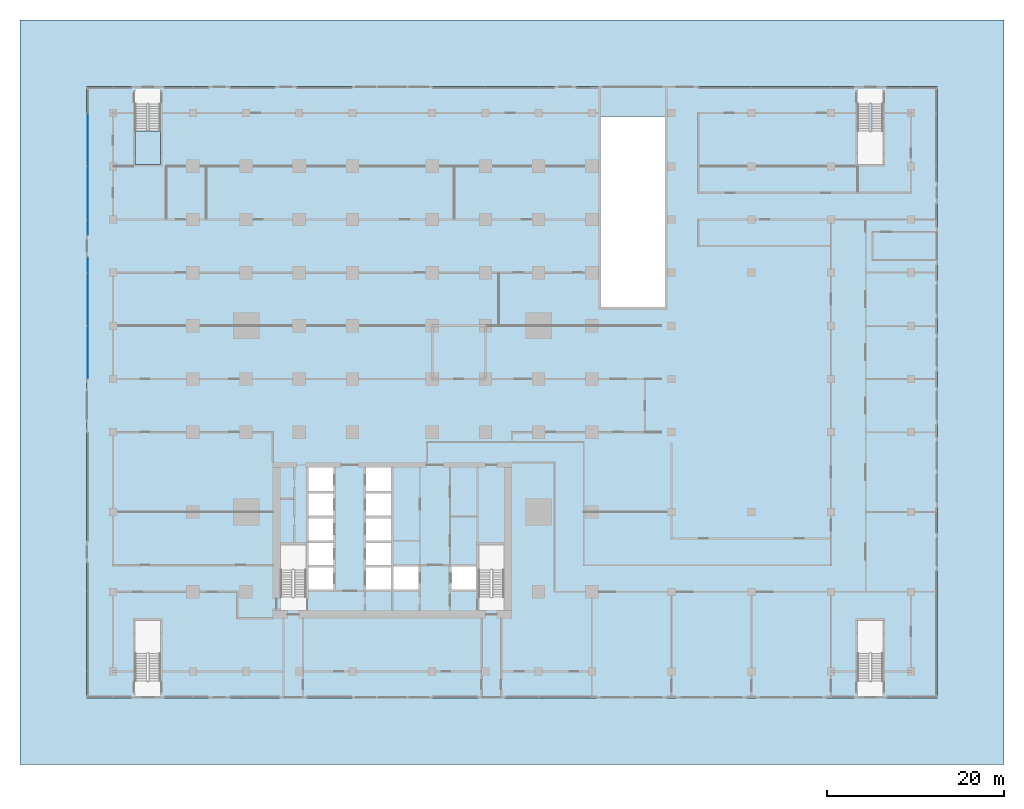
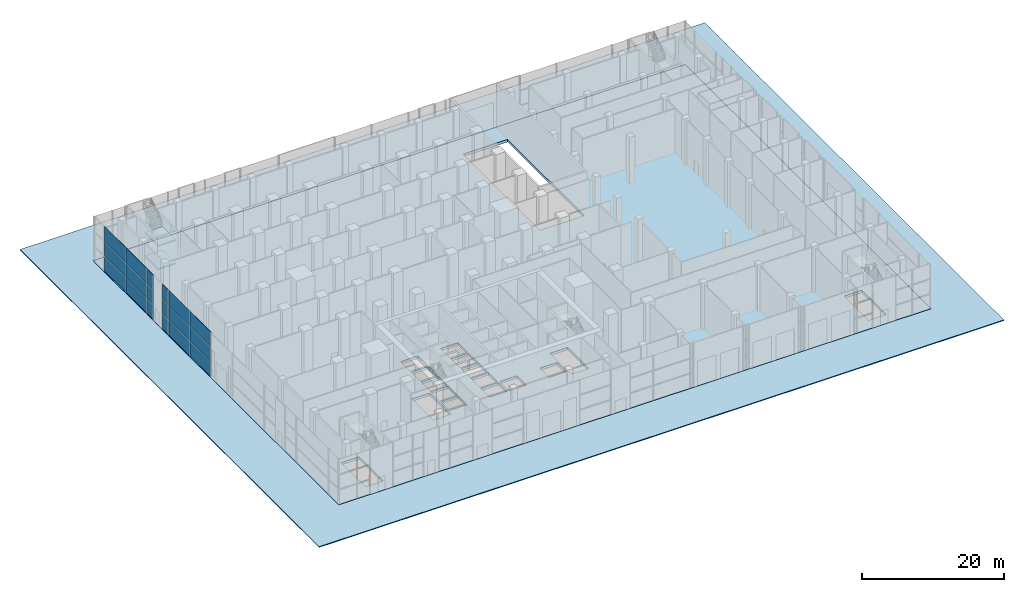
# One storey, part 12 of 29: 18 plates, 4 slabs, 3 elements without a shape of their own.
"""IFC4 building model written with IfcOpenShell, lengths in metres."""

from ifc_helpers import new_model, si_unit, direction, frame, origin, origin_2d, place, context, subcontext, project, spatial, polyline, rectangle, outline, extrude, material, layer, layer_set, type_object, element, aggregate, save


model = new_model("IFC4")

# Units and contexts
model_context = context("Model", 3, precision=1e-05, world=origin(), true_north=direction((0.0, 1.0)))
body_context = subcontext(model_context, "Body", "Model", "MODEL_VIEW")
ifc_project = project(units=[si_unit("LENGTHUNIT", "METRE"), si_unit("AREAUNIT", "SQUARE_METRE"), si_unit("VOLUMEUNIT", "CUBIC_METRE"), si_unit("PLANEANGLEUNIT", "RADIAN"), si_unit("MASSUNIT", "GRAM", prefix="KILO")], contexts=[model_context])

# Site, building, storey
site_placement = place(None, origin())
site = spatial("IfcSite", under=ifc_project, at=site_placement, CompositionType="ELEMENT")
building_placement = place(site_placement, origin())
building = spatial("IfcBuilding", under=site, at=building_placement, Name="Finial Court Residences", CompositionType="ELEMENT")
storey_placement = place(building_placement, origin())
storey = spatial("IfcBuildingStorey", under=building, at=storey_placement, Name="L00", CompositionType="ELEMENT", Elevation=0.0)

# Curtain wall, plates
ifc_material_1 = material(Name="Bronze anodised aluminium", Category="aluminium")
curtain_wall_type = type_object("IfcCurtainWallType", Name="Podium shopfront", PredefinedType="NOTDEFINED", material=ifc_material_1)
curtain_wall_1_placement = place(storey_placement, origin())
curtain_wall_1 = element("IfcCurtainWall", 1, at=curtain_wall_1_placement, inside=storey, type_object=curtain_wall_type, Name="E-L00-CW-W29", PredefinedType="NOTDEFINED")
ifc_material_2 = material(Name="Clear low-e glass", Category="glass")
ifc_layer_1 = layer(ifc_material_2, 0.0400390625)
ifc_layer_set_1 = layer_set([ifc_layer_1], Name="CW4 vision glass 40")
plate_type = type_object("IfcPlateType", Name="CW4 vision glass 40", PredefinedType="CURTAIN_PANEL", material=ifc_layer_set_1)
plate_1_placement = place(storey_placement, frame((-34.35009765625, 4.52490234375, 0.0), z_axis=(0.0, 0.0, 1.0), x_axis=(0.0, 1.0, 0.0)))
plate_1 = element("IfcPlate", 2, at=plate_1_placement, type_object=plate_type, Name="CW4 glass 1.1", PredefinedType="CURTAIN_PANEL", context=body_context, shape_type="SweptSolid", body=[
    extrude(rectangle(XDim=5.85009765625, YDim=0.0400390625, at=origin_2d()), origin(), (0.0, 0.0, 1.0), 2.5),
])
plate_2_placement = place(storey_placement, frame((-34.35009765625, 4.52490234375, 2.60009765625), z_axis=(0.0, 0.0, 1.0), x_axis=(0.0, 1.0, 0.0)))
plate_2 = element("IfcPlate", 3, at=plate_2_placement, type_object=plate_type, Name="CW4 glass 1.2", PredefinedType="CURTAIN_PANEL", context=body_context, shape_type="SweptSolid", body=[
    extrude(rectangle(XDim=5.85009765625, YDim=0.0400390625, at=origin_2d()), origin(), (0.0, 0.0, 1.0), 2.449951171875),
])
plate_3_placement = place(storey_placement, frame((-34.35009765625, 4.52490234375, 5.14990234375), z_axis=(0.0, 0.0, 1.0), x_axis=(0.0, 1.0, 0.0)))
plate_3 = element("IfcPlate", 4, at=plate_3_placement, type_object=plate_type, Name="CW4 glass 1.3", PredefinedType="CURTAIN_PANEL", context=body_context, shape_type="SweptSolid", body=[
    extrude(rectangle(XDim=5.85009765625, YDim=0.0400390625, at=origin_2d()), origin(), (0.0, 0.0, 1.0), 2.5),
])
plate_4_placement = place(storey_placement, frame((-34.35009765625, 10.5, 0.0), z_axis=(0.0, 0.0, 1.0), x_axis=(0.0, 1.0, 0.0)))
plate_4 = element("IfcPlate", 5, at=plate_4_placement, type_object=plate_type, Name="CW4 glass 2.1", PredefinedType="CURTAIN_PANEL", context=body_context, shape_type="SweptSolid", body=[
    extrude(rectangle(XDim=5.89990234375, YDim=0.0400390625, at=origin_2d()), origin(), (0.0, 0.0, 1.0), 2.5),
])
plate_5_placement = place(storey_placement, frame((-34.35009765625, 10.5, 2.60009765625), z_axis=(0.0, 0.0, 1.0), x_axis=(0.0, 1.0, 0.0)))
plate_5 = element("IfcPlate", 6, at=plate_5_placement, type_object=plate_type, Name="CW4 glass 2.2", PredefinedType="CURTAIN_PANEL", context=body_context, shape_type="SweptSolid", body=[
    extrude(rectangle(XDim=5.89990234375, YDim=0.0400390625, at=origin_2d()), origin(), (0.0, 0.0, 1.0), 2.449951171875),
])
plate_6_placement = place(storey_placement, frame((-34.35009765625, 10.5, 5.14990234375), z_axis=(0.0, 0.0, 1.0), x_axis=(0.0, 1.0, 0.0)))
plate_6 = element("IfcPlate", 7, at=plate_6_placement, type_object=plate_type, Name="CW4 glass 2.3", PredefinedType="CURTAIN_PANEL", context=body_context, shape_type="SweptSolid", body=[
    extrude(rectangle(XDim=5.89990234375, YDim=0.0400390625, at=origin_2d()), origin(), (0.0, 0.0, 1.0), 2.5),
])
plate_7_placement = place(storey_placement, frame((-34.35009765625, 14.375, 0.0), z_axis=(0.0, 0.0, 1.0), x_axis=(0.0, 1.0, 0.0)))
plate_7 = element("IfcPlate", 8, at=plate_7_placement, type_object=plate_type, Name="CW4 glass 3.1", PredefinedType="CURTAIN_PANEL", context=body_context, shape_type="SweptSolid", body=[
    extrude(rectangle(XDim=1.64990234375, YDim=0.0400390625, at=origin_2d()), origin(), (0.0, 0.0, 1.0), 2.5),
])
plate_8_placement = place(storey_placement, frame((-34.35009765625, 14.375, 2.60009765625), z_axis=(0.0, 0.0, 1.0), x_axis=(0.0, 1.0, 0.0)))
plate_8 = element("IfcPlate", 9, at=plate_8_placement, type_object=plate_type, Name="CW4 glass 3.2", PredefinedType="CURTAIN_PANEL", context=body_context, shape_type="SweptSolid", body=[
    extrude(rectangle(XDim=1.64990234375, YDim=0.0400390625, at=origin_2d()), origin(), (0.0, 0.0, 1.0), 2.449951171875),
])
plate_9_placement = place(storey_placement, frame((-34.35009765625, 14.375, 5.14990234375), z_axis=(0.0, 0.0, 1.0), x_axis=(0.0, 1.0, 0.0)))
plate_9 = element("IfcPlate", 10, at=plate_9_placement, type_object=plate_type, Name="CW4 glass 3.3", PredefinedType="CURTAIN_PANEL", context=body_context, shape_type="SweptSolid", body=[
    extrude(rectangle(XDim=1.64990234375, YDim=0.0400390625, at=origin_2d()), origin(), (0.0, 0.0, 1.0), 2.5),
])
aggregate(curtain_wall_1, [plate_1, plate_2, plate_3, plate_4, plate_5, plate_6, plate_7, plate_8, plate_9])

curtain_wall_2_placement = place(storey_placement, origin())
curtain_wall_2 = element("IfcCurtainWall", 11, at=curtain_wall_2_placement, inside=storey, type_object=curtain_wall_type, Name="E-L00-CW-W30", PredefinedType="NOTDEFINED")
plate_10_placement = place(storey_placement, frame((-34.35009765625, 18.625, 0.0), z_axis=(0.0, 0.0, 1.0), x_axis=(0.0, 1.0, 0.0)))
plate_10 = element("IfcPlate", 12, at=plate_10_placement, type_object=plate_type, Name="CW4 glass 1.1", PredefinedType="CURTAIN_PANEL", context=body_context, shape_type="SweptSolid", body=[
    extrude(rectangle(XDim=1.64990234375, YDim=0.0400390625, at=origin_2d()), origin(), (0.0, 0.0, 1.0), 2.5),
])
plate_11_placement = place(storey_placement, frame((-34.35009765625, 18.625, 2.60009765625), z_axis=(0.0, 0.0, 1.0), x_axis=(0.0, 1.0, 0.0)))
plate_11 = element("IfcPlate", 13, at=plate_11_placement, type_object=plate_type, Name="CW4 glass 1.2", PredefinedType="CURTAIN_PANEL", context=body_context, shape_type="SweptSolid", body=[
    extrude(rectangle(XDim=1.64990234375, YDim=0.0400390625, at=origin_2d()), origin(), (0.0, 0.0, 1.0), 2.449951171875),
])
plate_12_placement = place(storey_placement, frame((-34.35009765625, 18.625, 5.14990234375), z_axis=(0.0, 0.0, 1.0), x_axis=(0.0, 1.0, 0.0)))
plate_12 = element("IfcPlate", 14, at=plate_12_placement, type_object=plate_type, Name="CW4 glass 1.3", PredefinedType="CURTAIN_PANEL", context=body_context, shape_type="SweptSolid", body=[
    extrude(rectangle(XDim=1.64990234375, YDim=0.0400390625, at=origin_2d()), origin(), (0.0, 0.0, 1.0), 2.5),
])
plate_13_placement = place(storey_placement, frame((-34.35009765625, 22.5, 0.0), z_axis=(0.0, 0.0, 1.0), x_axis=(0.0, 1.0, 0.0)))
plate_13 = element("IfcPlate", 15, at=plate_13_placement, type_object=plate_type, Name="CW4 glass 2.1", PredefinedType="CURTAIN_PANEL", context=body_context, shape_type="SweptSolid", body=[
    extrude(rectangle(XDim=5.89990234375, YDim=0.0400390625, at=origin_2d()), origin(), (0.0, 0.0, 1.0), 2.5),
])
plate_14_placement = place(storey_placement, frame((-34.35009765625, 22.5, 2.60009765625), z_axis=(0.0, 0.0, 1.0), x_axis=(0.0, 1.0, 0.0)))
plate_14 = element("IfcPlate", 16, at=plate_14_placement, type_object=plate_type, Name="CW4 glass 2.2", PredefinedType="CURTAIN_PANEL", context=body_context, shape_type="SweptSolid", body=[
    extrude(rectangle(XDim=5.89990234375, YDim=0.0400390625, at=origin_2d()), origin(), (0.0, 0.0, 1.0), 2.449951171875),
])
plate_15_placement = place(storey_placement, frame((-34.35009765625, 22.5, 5.14990234375), z_axis=(0.0, 0.0, 1.0), x_axis=(0.0, 1.0, 0.0)))
plate_15 = element("IfcPlate", 17, at=plate_15_placement, type_object=plate_type, Name="CW4 glass 2.3", PredefinedType="CURTAIN_PANEL", context=body_context, shape_type="SweptSolid", body=[
    extrude(rectangle(XDim=5.89990234375, YDim=0.0400390625, at=origin_2d()), origin(), (0.0, 0.0, 1.0), 2.5),
])
plate_16_placement = place(storey_placement, frame((-34.35009765625, 28.5, 0.0), z_axis=(0.0, 0.0, 1.0), x_axis=(0.0, 1.0, 0.0)))
plate_16 = element("IfcPlate", 18, at=plate_16_placement, type_object=plate_type, Name="CW4 glass 3.1", PredefinedType="CURTAIN_PANEL", context=body_context, shape_type="SweptSolid", body=[
    extrude(rectangle(XDim=5.89990234375, YDim=0.0400390625, at=origin_2d()), origin(), (0.0, 0.0, 1.0), 2.5),
])
plate_17_placement = place(storey_placement, frame((-34.35009765625, 28.5, 2.60009765625), z_axis=(0.0, 0.0, 1.0), x_axis=(0.0, 1.0, 0.0)))
plate_17 = element("IfcPlate", 19, at=plate_17_placement, type_object=plate_type, Name="CW4 glass 3.2", PredefinedType="CURTAIN_PANEL", context=body_context, shape_type="SweptSolid", body=[
    extrude(rectangle(XDim=5.89990234375, YDim=0.0400390625, at=origin_2d()), origin(), (0.0, 0.0, 1.0), 2.449951171875),
])
plate_18_placement = place(storey_placement, frame((-34.35009765625, 28.5, 5.14990234375), z_axis=(0.0, 0.0, 1.0), x_axis=(0.0, 1.0, 0.0)))
plate_18 = element("IfcPlate", 20, at=plate_18_placement, type_object=plate_type, Name="CW4 glass 3.3", PredefinedType="CURTAIN_PANEL", context=body_context, shape_type="SweptSolid", body=[
    extrude(rectangle(XDim=5.89990234375, YDim=0.0400390625, at=origin_2d()), origin(), (0.0, 0.0, 1.0), 2.5),
])
aggregate(curtain_wall_2, [plate_10, plate_11, plate_12, plate_13, plate_14, plate_15, plate_16, plate_17, plate_18])

# Stair, slabs
ifc_material_3 = material(Name="Concrete C50/60", Category="concrete")
stair_type = type_object("IfcStairType", Name="Exit stair 48 risers of 166.7 mm", PredefinedType="HALF_TURN_STAIR", material=ifc_material_3)
stair_placement = place(storey_placement, origin())
stair = element("IfcStair", 21, at=stair_placement, inside=storey, type_object=stair_type, Name="L00 Exit Stair 6", PredefinedType="HALF_TURN_STAIR")
ifc_layer_2 = layer(ifc_material_3, 0.199951171875)
ifc_layer_set_2 = layer_set([ifc_layer_2], Name="Exit stair landing")
slab_type_1 = type_object("IfcSlabType", Name="Exit stair landing", PredefinedType="LANDING", material=ifc_layer_set_2)
slab_1_placement = place(storey_placement, frame((0.0, 0.0, 1.800048828125)))
slab_1 = element("IfcSlab", 22, at=slab_1_placement, type_object=slab_type_1, Name="ST-6 landing 1", PredefinedType="LANDING", context=body_context, shape_type="SweptSolid", body=[
    extrude(outline(polyline([(-29.0, 29.469970703125), (-29.0, 25.719970703125), (-26.14990234375, 25.719970703125), (-26.14990234375, 29.469970703125), (-29.0, 29.469970703125)])), origin(), (0.0, 0.0, 1.0), 0.199951171875),
])
slab_2_placement = place(storey_placement, frame((0.0, 0.0, 5.800048828125)))
slab_2 = element("IfcSlab", 23, at=slab_2_placement, type_object=slab_type_1, Name="ST-6 landing 3", PredefinedType="LANDING", context=body_context, shape_type="SweptSolid", body=[
    extrude(outline(polyline([(-29.0, 29.469970703125), (-29.0, 25.719970703125), (-26.14990234375, 25.719970703125), (-26.14990234375, 29.469970703125), (-29.0, 29.469970703125)])), origin(), (0.0, 0.0, 1.0), 0.199951171875),
])
aggregate(stair, [slab_1, slab_2])

# Slabs
ifc_material_4 = material(Name="Concrete C40/50", Category="concrete")
ifc_layer_3 = layer(ifc_material_4, 0.449951171875)
ifc_layer_set_3 = layer_set([ifc_layer_3], Name="Flat plate slab 450 Concrete C40/50")
slab_type_2 = type_object("IfcSlabType", Name="Flat plate slab 450 Concrete C40/50", PredefinedType="FLOOR", material=ifc_layer_set_3)
slab_3_placement = place(storey_placement, frame((0.0, 0.0, -0.449951171875)))
element("IfcSlab", 24, at=slab_3_placement, inside=storey, type_object=slab_type_2, Name="S:SLAB:L00", PredefinedType="FLOOR", context=body_context, shape_type="SweptSolid", body=[
    extrude(outline(polyline([(-34.5, -34.5), (-34.5, 34.5), (61.5, 34.5), (61.5, -34.5), (-34.5, -34.5)]), holes=[polyline([(-26.14990234375, -25.719970703125), (-29.0, -25.719970703125), (-29.0, -32.549072265625), (-26.14990234375, -32.549072265625), (-26.14990234375, -25.719970703125)]), polyline([(-6.64990234375, -22.25), (-6.64990234375, -19.77001953125), (-9.449951171875, -19.77001953125), (-9.449951171875, -22.25), (-6.64990234375, -22.25)]), polyline([(-9.75, -17.199951171875), (-12.60009765625, -17.199951171875), (-12.60009765625, -23.09912109375), (-9.75, -23.09912109375), (-9.75, -17.199951171875)]), polyline([(-6.64990234375, -19.469970703125), (-6.64990234375, -16.989990234375), (-9.449951171875, -16.989990234375), (-9.449951171875, -19.469970703125), (-6.64990234375, -19.469970703125)]), polyline([(-0.14990234375, -19.469970703125), (-0.14990234375, -16.989990234375), (-2.949951171875, -16.989990234375), (-2.949951171875, -19.469970703125), (-0.14990234375, -19.469970703125)]), polyline([(-6.64990234375, -16.68994140625), (-6.64990234375, -14.2099609375), (-9.449951171875, -14.2099609375), (-9.449951171875, -16.68994140625), (-6.64990234375, -16.68994140625)]), polyline([(-6.64990234375, -13.909912109375), (-6.64990234375, -11.429931640625), (-9.449951171875, -11.429931640625), (-9.449951171875, -13.909912109375), (-6.64990234375, -13.909912109375)]), polyline([(-6.64990234375, -11.1298828125), (-6.64990234375, -8.5), (-9.449951171875, -8.5), (-9.449951171875, -11.1298828125), (-6.64990234375, -11.1298828125)]), polyline([(-0.14990234375, -11.1298828125), (-0.14990234375, -8.5), (-2.949951171875, -8.5), (-2.949951171875, -11.1298828125), (-0.14990234375, -11.1298828125)]), polyline([(55.35009765625, -25.719970703125), (52.5, -25.719970703125), (52.5, -32.549072265625), (55.35009765625, -32.549072265625), (55.35009765625, -25.719970703125)]), polyline([(-0.14990234375, -22.25), (-0.14990234375, -19.77001953125), (-2.949951171875, -19.77001953125), (-2.949951171875, -22.25), (-0.14990234375, -22.25)]), polyline([(2.949951171875, -22.25), (2.949951171875, -19.64990234375), (0.14990234375, -19.64990234375), (0.14990234375, -22.25), (2.949951171875, -22.25)]), polyline([(9.449951171875, -22.25), (9.449951171875, -19.64990234375), (6.64990234375, -19.64990234375), (6.64990234375, -22.25), (9.449951171875, -22.25)]), polyline([(12.60009765625, -17.199951171875), (9.75, -17.199951171875), (9.75, -23.09912109375), (12.60009765625, -23.09912109375), (12.60009765625, -17.199951171875)]), polyline([(-0.14990234375, -16.68994140625), (-0.14990234375, -14.2099609375), (-2.949951171875, -14.2099609375), (-2.949951171875, -16.68994140625), (-0.14990234375, -16.68994140625)]), polyline([(-2.949951171875, -13.909912109375), (-0.14990234375, -13.909912109375), (-0.14990234375, -11.429931640625), (-2.949951171875, -11.429931640625), (-2.949951171875, -13.909912109375)]), polyline([(30.75, 9.60009765625), (30.75, 31.10009765625), (23.550048828125, 31.10009765625), (23.550048828125, 9.60009765625), (30.75, 9.60009765625)])]), origin(), (0.0, 0.0, 1.0), 0.449951171875),
])
ifc_material_5 = material(Name="Granite paving", Category="masonry")
ifc_layer_4 = layer(ifc_material_5, 0.14990234375)
ifc_layer_set_4 = layer_set([ifc_layer_4], Name="Plaza paving, granite 150")
slab_type_3 = type_object("IfcSlabType", Name="Plaza paving, granite 150", PredefinedType="USERDEFINED", material=ifc_layer_set_4)
slab_4_placement = place(storey_placement, frame((0.0, 0.0, -0.14990234375)))
element("IfcSlab", 25, at=slab_4_placement, inside=storey, type_object=slab_type_3, Name="Plaza paving 1", ObjectType="PAVING", PredefinedType="USERDEFINED", context=body_context, shape_type="SweptSolid", body=[
    extrude(outline(polyline([(69.0, 42.0), (69.0, -42.0), (-42.0, -42.0), (-42.0, 42.0), (69.0, 42.0)]), holes=[polyline([(61.5, 34.5), (-34.5, 34.5), (-34.5, -34.5), (61.5, -34.5), (61.5, 34.5)])]), origin(), (0.0, 0.0, 1.0), 0.14990234375),
])

save(model, "model.ifc")
